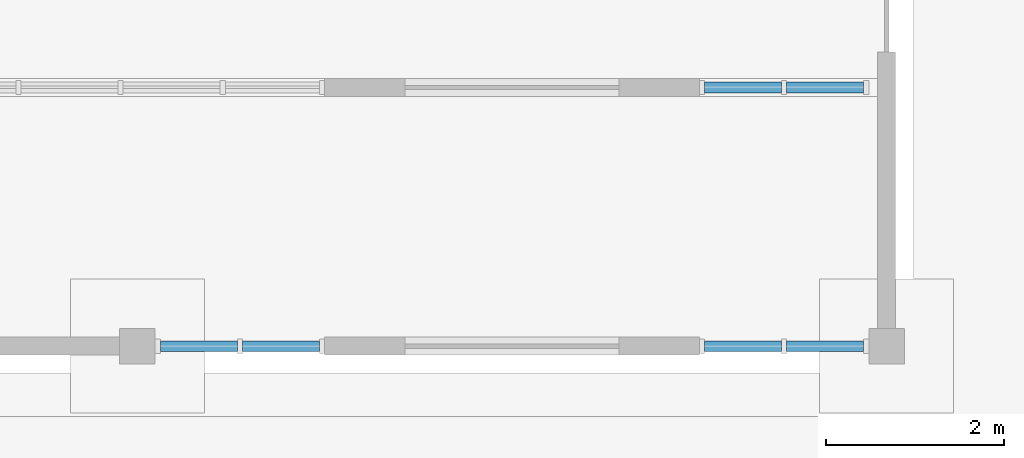
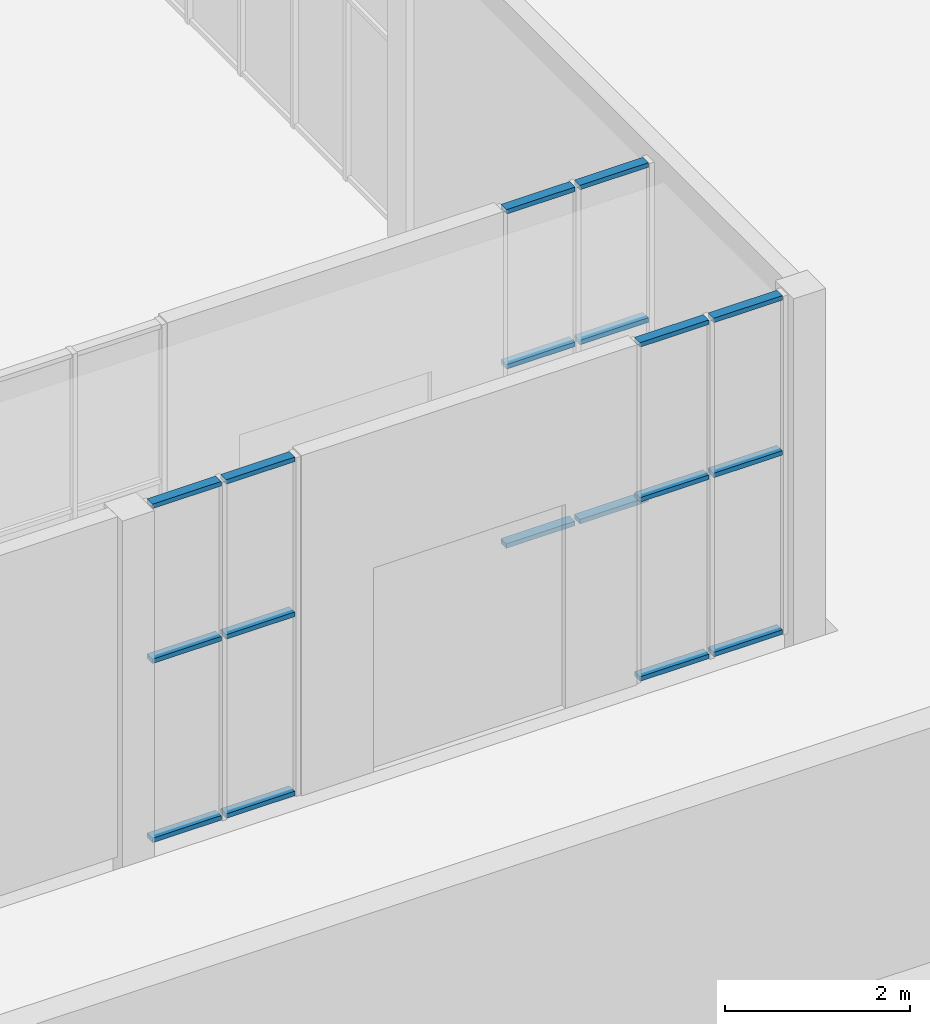
# One storey, part 13 of 36: 18 members, 3 elements without a shape of their own.
"""IFC4 building model written with IfcOpenShell, lengths in metres."""

from ifc_helpers import new_model, si_unit, direction, frame, origin, origin_2d, place, context, subcontext, project, spatial, rectangle, extrude, material, material_profile, profile_set, type_object, element, aggregate, save


model = new_model("IFC4")

# Units and contexts
model_context = context("Model", 3, precision=1e-05, world=origin(), true_north=direction((0.0, 1.0)))
body_context = subcontext(model_context, "Body", "Model", "MODEL_VIEW")
ifc_project = project(units=[si_unit("LENGTHUNIT", "METRE"), si_unit("AREAUNIT", "SQUARE_METRE"), si_unit("VOLUMEUNIT", "CUBIC_METRE"), si_unit("PLANEANGLEUNIT", "RADIAN"), si_unit("MASSUNIT", "GRAM", prefix="KILO")], contexts=[model_context])

# Site, building, storey
site_placement = place(None, origin())
site = spatial("IfcSite", under=ifc_project, at=site_placement, CompositionType="ELEMENT")
building_placement = place(site_placement, origin())
building = spatial("IfcBuilding", under=site, at=building_placement, Name="Fescue Hill Polytechnic", CompositionType="ELEMENT")
storey_placement = place(building_placement, origin())
storey = spatial("IfcBuildingStorey", under=building, at=storey_placement, Name="L00", CompositionType="ELEMENT", Elevation=0.0)

# Curtain wall, members
ifc_material_1 = material(Name="Glass", Category="glass")
curtain_wall_type_1 = type_object("IfcCurtainWallType", Name="Curtain wall structural glazing", PredefinedType="NOTDEFINED", material=ifc_material_1)
curtain_wall_1_placement = place(storey_placement, origin())
curtain_wall_1 = element("IfcCurtainWall", 1, at=curtain_wall_1_placement, inside=storey, type_object=curtain_wall_type_1, Name="CW-L00-V7-3", PredefinedType="NOTDEFINED")
ifc_material_2 = material(Name="Powder-coated aluminium", Category="aluminium")
ifc_material_profile_1 = material_profile(ifc_material_2, rectangle(XDim=0.1201171875, YDim=0.06005859375, at=origin_2d()), Name="Transom aluminium 60x120")
ifc_profile_set_1 = profile_set([ifc_material_profile_1], Name="Powder-coated aluminium")
member_type_1 = type_object("IfcMemberType", Name="Transom aluminium 60x120", PredefinedType="USERDEFINED", material=ifc_profile_set_1)
member_1_placement = place(storey_placement, frame((134.659912109375, -8.39990234375, 0.030029296875), z_axis=(1.0, 0.0, 0.0), x_axis=(0.0, 1.0, 0.0)))
member_1 = element("IfcMember", 2, at=member_1_placement, type_object=member_type_1, Name="CW39 transom 1.1", ObjectType="TRANSOM", PredefinedType="USERDEFINED", context=body_context, shape_type="SweptSolid", body=[
    extrude(rectangle(XDim=0.1201171875, YDim=0.06005859375, at=origin_2d()), origin(), (0.0, 0.0, 1.0), 0.860107421875),
])
member_2_placement = place(storey_placement, frame((134.659912109375, -8.39990234375, 2.39990234375), z_axis=(1.0, 0.0, 0.0), x_axis=(0.0, 1.0, 0.0)))
member_2 = element("IfcMember", 3, at=member_2_placement, type_object=member_type_1, Name="CW39 transom 1.2", ObjectType="TRANSOM", PredefinedType="USERDEFINED", context=body_context, shape_type="SweptSolid", body=[
    extrude(rectangle(XDim=0.1201171875, YDim=0.06005859375, at=origin_2d()), origin(), (0.0, 0.0, 1.0), 0.860107421875),
])
member_3_placement = place(storey_placement, frame((134.659912109375, -8.39990234375, 4.449951171875), z_axis=(1.0, 0.0, 0.0), x_axis=(0.0, 1.0, 0.0)))
member_3 = element("IfcMember", 4, at=member_3_placement, type_object=member_type_1, Name="CW39 transom 1.3", ObjectType="TRANSOM", PredefinedType="USERDEFINED", context=body_context, shape_type="SweptSolid", body=[
    extrude(rectangle(XDim=0.1201171875, YDim=0.06005859375, at=origin_2d()), origin(), (0.0, 0.0, 1.0), 0.860107421875),
])
member_4_placement = place(storey_placement, frame((135.580078125, -8.39990234375, 0.030029296875), z_axis=(1.0, 0.0, 0.0), x_axis=(0.0, 1.0, 0.0)))
member_4 = element("IfcMember", 5, at=member_4_placement, type_object=member_type_1, Name="CW39 transom 2.1", ObjectType="TRANSOM", PredefinedType="USERDEFINED", context=body_context, shape_type="SweptSolid", body=[
    extrude(rectangle(XDim=0.1201171875, YDim=0.06005859375, at=origin_2d()), origin(), (0.0, 0.0, 1.0), 0.85986328125),
])
member_5_placement = place(storey_placement, frame((135.580078125, -8.39990234375, 2.39990234375), z_axis=(1.0, 0.0, 0.0), x_axis=(0.0, 1.0, 0.0)))
member_5 = element("IfcMember", 6, at=member_5_placement, type_object=member_type_1, Name="CW39 transom 2.2", ObjectType="TRANSOM", PredefinedType="USERDEFINED", context=body_context, shape_type="SweptSolid", body=[
    extrude(rectangle(XDim=0.1201171875, YDim=0.06005859375, at=origin_2d()), origin(), (0.0, 0.0, 1.0), 0.85986328125),
])
member_6_placement = place(storey_placement, frame((135.580078125, -8.39990234375, 4.449951171875), z_axis=(1.0, 0.0, 0.0), x_axis=(0.0, 1.0, 0.0)))
member_6 = element("IfcMember", 7, at=member_6_placement, type_object=member_type_1, Name="CW39 transom 2.3", ObjectType="TRANSOM", PredefinedType="USERDEFINED", context=body_context, shape_type="SweptSolid", body=[
    extrude(rectangle(XDim=0.1201171875, YDim=0.06005859375, at=origin_2d()), origin(), (0.0, 0.0, 1.0), 0.85986328125),
])
aggregate(curtain_wall_1, [member_1, member_2, member_3, member_4, member_5, member_6])

curtain_wall_2_placement = place(storey_placement, origin())
curtain_wall_2 = element("IfcCurtainWall", 8, at=curtain_wall_2_placement, inside=storey, type_object=curtain_wall_type_1, Name="CW-L00-V7-4", PredefinedType="NOTDEFINED")
member_7_placement = place(storey_placement, frame((140.760009765625, -8.39990234375, 0.030029296875), z_axis=(1.0, 0.0, 0.0), x_axis=(0.0, 1.0, 0.0)))
member_7 = element("IfcMember", 9, at=member_7_placement, type_object=member_type_1, Name="CW40 transom 1.1", ObjectType="TRANSOM", PredefinedType="USERDEFINED", context=body_context, shape_type="SweptSolid", body=[
    extrude(rectangle(XDim=0.1201171875, YDim=0.06005859375, at=origin_2d()), origin(), (0.0, 0.0, 1.0), 0.860107421875),
])
member_8_placement = place(storey_placement, frame((140.760009765625, -8.39990234375, 2.39990234375), z_axis=(1.0, 0.0, 0.0), x_axis=(0.0, 1.0, 0.0)))
member_8 = element("IfcMember", 10, at=member_8_placement, type_object=member_type_1, Name="CW40 transom 1.2", ObjectType="TRANSOM", PredefinedType="USERDEFINED", context=body_context, shape_type="SweptSolid", body=[
    extrude(rectangle(XDim=0.1201171875, YDim=0.06005859375, at=origin_2d()), origin(), (0.0, 0.0, 1.0), 0.860107421875),
])
member_9_placement = place(storey_placement, frame((140.760009765625, -8.39990234375, 4.449951171875), z_axis=(1.0, 0.0, 0.0), x_axis=(0.0, 1.0, 0.0)))
member_9 = element("IfcMember", 11, at=member_9_placement, type_object=member_type_1, Name="CW40 transom 1.3", ObjectType="TRANSOM", PredefinedType="USERDEFINED", context=body_context, shape_type="SweptSolid", body=[
    extrude(rectangle(XDim=0.1201171875, YDim=0.06005859375, at=origin_2d()), origin(), (0.0, 0.0, 1.0), 0.860107421875),
])
member_10_placement = place(storey_placement, frame((141.679931640625, -8.39990234375, 0.030029296875), z_axis=(1.0, 0.0, 0.0), x_axis=(0.0, 1.0, 0.0)))
member_10 = element("IfcMember", 12, at=member_10_placement, type_object=member_type_1, Name="CW40 transom 2.1", ObjectType="TRANSOM", PredefinedType="USERDEFINED", context=body_context, shape_type="SweptSolid", body=[
    extrude(rectangle(XDim=0.1201171875, YDim=0.06005859375, at=origin_2d()), origin(), (0.0, 0.0, 1.0), 0.860107421875),
])
member_11_placement = place(storey_placement, frame((141.679931640625, -8.39990234375, 2.39990234375), z_axis=(1.0, 0.0, 0.0), x_axis=(0.0, 1.0, 0.0)))
member_11 = element("IfcMember", 13, at=member_11_placement, type_object=member_type_1, Name="CW40 transom 2.2", ObjectType="TRANSOM", PredefinedType="USERDEFINED", context=body_context, shape_type="SweptSolid", body=[
    extrude(rectangle(XDim=0.1201171875, YDim=0.06005859375, at=origin_2d()), origin(), (0.0, 0.0, 1.0), 0.860107421875),
])
member_12_placement = place(storey_placement, frame((141.679931640625, -8.39990234375, 4.449951171875), z_axis=(1.0, 0.0, 0.0), x_axis=(0.0, 1.0, 0.0)))
member_12 = element("IfcMember", 14, at=member_12_placement, type_object=member_type_1, Name="CW40 transom 2.3", ObjectType="TRANSOM", PredefinedType="USERDEFINED", context=body_context, shape_type="SweptSolid", body=[
    extrude(rectangle(XDim=0.1201171875, YDim=0.06005859375, at=origin_2d()), origin(), (0.0, 0.0, 1.0), 0.860107421875),
])
aggregate(curtain_wall_2, [member_7, member_8, member_9, member_10, member_11, member_12])

curtain_wall_type_2 = type_object("IfcCurtainWallType", Name="Curtain wall vestibule glazing", PredefinedType="NOTDEFINED", material=ifc_material_1)
curtain_wall_3_placement = place(storey_placement, origin())
curtain_wall_3 = element("IfcCurtainWall", 15, at=curtain_wall_3_placement, inside=storey, type_object=curtain_wall_type_2, Name="CW-L00-V7-X2", PredefinedType="NOTDEFINED")
ifc_material_profile_2 = material_profile(ifc_material_2, rectangle(XDim=0.1201171875, YDim=0.06005859375, at=origin_2d()), Name="Transom aluminium 60x120 internal")
ifc_profile_set_2 = profile_set([ifc_material_profile_2], Name="Powder-coated aluminium")
member_type_2 = type_object("IfcMemberType", Name="Transom aluminium 60x120 internal", PredefinedType="USERDEFINED", material=ifc_profile_set_2)
member_13_placement = place(storey_placement, frame((140.760009765625, -5.5, 0.030029296875), z_axis=(1.0, 0.0, 0.0), x_axis=(0.0, 1.0, 0.0)))
member_13 = element("IfcMember", 16, at=member_13_placement, type_object=member_type_2, Name="CW114 transom 1.1", ObjectType="TRANSOM", PredefinedType="USERDEFINED", context=body_context, shape_type="SweptSolid", body=[
    extrude(rectangle(XDim=0.1201171875, YDim=0.06005859375, at=origin_2d()), origin(), (0.0, 0.0, 1.0), 0.860107421875),
])
member_14_placement = place(storey_placement, frame((140.760009765625, -5.5, 2.39990234375), z_axis=(1.0, 0.0, 0.0), x_axis=(0.0, 1.0, 0.0)))
member_14 = element("IfcMember", 17, at=member_14_placement, type_object=member_type_2, Name="CW114 transom 1.2", ObjectType="TRANSOM", PredefinedType="USERDEFINED", context=body_context, shape_type="SweptSolid", body=[
    extrude(rectangle(XDim=0.1201171875, YDim=0.06005859375, at=origin_2d()), origin(), (0.0, 0.0, 1.0), 0.860107421875),
])
member_15_placement = place(storey_placement, frame((140.760009765625, -5.5, 4.449951171875), z_axis=(1.0, 0.0, 0.0), x_axis=(0.0, 1.0, 0.0)))
member_15 = element("IfcMember", 18, at=member_15_placement, type_object=member_type_2, Name="CW114 transom 1.3", ObjectType="TRANSOM", PredefinedType="USERDEFINED", context=body_context, shape_type="SweptSolid", body=[
    extrude(rectangle(XDim=0.1201171875, YDim=0.06005859375, at=origin_2d()), origin(), (0.0, 0.0, 1.0), 0.860107421875),
])
member_16_placement = place(storey_placement, frame((141.679931640625, -5.5, 0.030029296875), z_axis=(1.0, 0.0, 0.0), x_axis=(0.0, 1.0, 0.0)))
member_16 = element("IfcMember", 19, at=member_16_placement, type_object=member_type_2, Name="CW114 transom 2.1", ObjectType="TRANSOM", PredefinedType="USERDEFINED", context=body_context, shape_type="SweptSolid", body=[
    extrude(rectangle(XDim=0.1201171875, YDim=0.06005859375, at=origin_2d()), origin(), (0.0, 0.0, 1.0), 0.860107421875),
])
member_17_placement = place(storey_placement, frame((141.679931640625, -5.5, 2.39990234375), z_axis=(1.0, 0.0, 0.0), x_axis=(0.0, 1.0, 0.0)))
member_17 = element("IfcMember", 20, at=member_17_placement, type_object=member_type_2, Name="CW114 transom 2.2", ObjectType="TRANSOM", PredefinedType="USERDEFINED", context=body_context, shape_type="SweptSolid", body=[
    extrude(rectangle(XDim=0.1201171875, YDim=0.06005859375, at=origin_2d()), origin(), (0.0, 0.0, 1.0), 0.860107421875),
])
member_18_placement = place(storey_placement, frame((141.679931640625, -5.5, 4.449951171875), z_axis=(1.0, 0.0, 0.0), x_axis=(0.0, 1.0, 0.0)))
member_18 = element("IfcMember", 21, at=member_18_placement, type_object=member_type_2, Name="CW114 transom 2.3", ObjectType="TRANSOM", PredefinedType="USERDEFINED", context=body_context, shape_type="SweptSolid", body=[
    extrude(rectangle(XDim=0.1201171875, YDim=0.06005859375, at=origin_2d()), origin(), (0.0, 0.0, 1.0), 0.860107421875),
])
aggregate(curtain_wall_3, [member_13, member_14, member_15, member_16, member_17, member_18])

save(model, "model.ifc")
